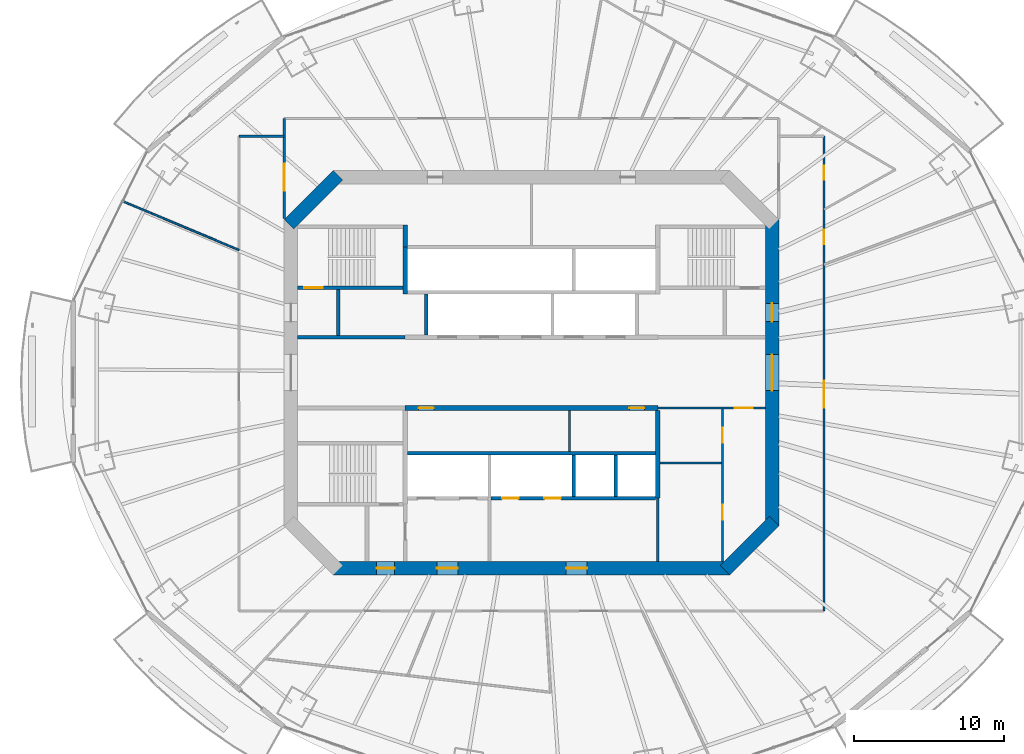
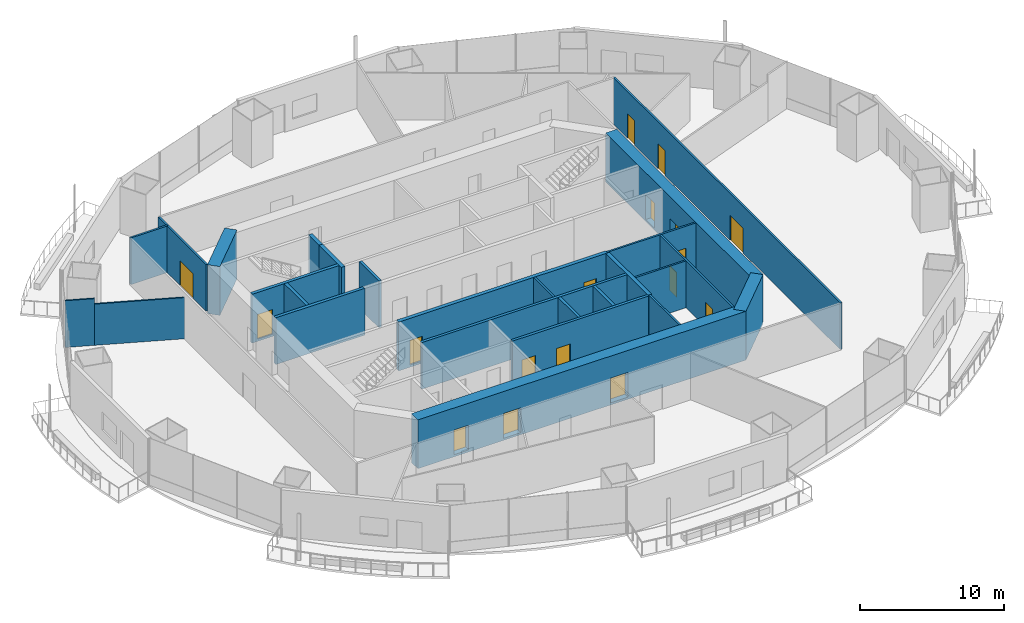
# One storey, part 13 of 21: 26 walls, 17 doors, 17 openings.
"""IFC4 building model written with IfcOpenShell, lengths in metres."""

from ifc_helpers import new_model, si_unit, direction, frame, frame_2d, origin, place, context, subcontext, project, spatial, rectangle, extrude, material, layer, layer_set, type_object, element, fill, save


model = new_model("IFC4")

# Units and contexts
model_context = context("Model", 3, precision=1e-05, world=origin(), true_north=direction((0.0, 1.0)))
body_context = subcontext(model_context, "Body", "Model", "MODEL_VIEW")
ifc_project = project(units=[si_unit("LENGTHUNIT", "METRE"), si_unit("AREAUNIT", "SQUARE_METRE"), si_unit("VOLUMEUNIT", "CUBIC_METRE"), si_unit("PLANEANGLEUNIT", "RADIAN"), si_unit("MASSUNIT", "GRAM", prefix="KILO")], contexts=[model_context])

# Site, building, storey
site_placement = place(None, origin())
site = spatial("IfcSite", under=ifc_project, at=site_placement, CompositionType="ELEMENT")
building_placement = place(site_placement, origin())
building = spatial("IfcBuilding", under=site, at=building_placement, Name="Marenthal Gate Tower", CompositionType="ELEMENT")
storey_placement = place(building_placement, frame((0.0, 0.0, 169.35009765625)))
storey = spatial("IfcBuildingStorey", under=building, at=storey_placement, Name="L36", CompositionType="ELEMENT", Elevation=169.35009765625)

# Wall
ifc_material_1 = material(Name="Concrete 60 MPa", Category="concrete")
ifc_layer_1 = layer(ifc_material_1, 0.89990234375)
ifc_layer_set_1 = layer_set([ifc_layer_1], Name="Core shear wall 900")
wall_type_1 = type_object("IfcWallType", Name="Core shear wall 900", PredefinedType="SHEAR", material=ifc_layer_set_1)
wall_1_placement = place(storey_placement, frame((12.8681640625, -13.1318359375, -0.18017578125), z_axis=(0.0, 0.0, 1.0), x_axis=(0.707106781187, 0.707106781187, 0.0)))
element("IfcWall", 1, at=wall_1_placement, inside=storey, type_object=wall_type_1, Name="Core wall 01", PredefinedType="SHEAR", context=body_context, shape_type="SweptSolid", body=[
    extrude(rectangle(XDim=4.615478515625, YDim=0.89990234375, at=frame_2d((2.3076171875, 0.0))), origin(), (0.0, 0.0, 1.0), 4.150146484375),
])

# Wall, openings, doors
wall_2_placement = place(storey_placement, frame((16.0, -10.186279296875, -0.18017578125), z_axis=(0.0, 0.0, 1.0), x_axis=(0.0, 1.0, 0.0)))
wall_2 = element("IfcWall", 2, at=wall_2_placement, inside=storey, type_object=wall_type_1, Name="Core wall 02", PredefinedType="SHEAR", context=body_context, shape_type="SweptSolid", body=[
    extrude(rectangle(XDim=20.37255859375, YDim=0.89990234375, at=frame_2d((10.186279296875, 0.0))), origin(), (0.0, 0.0, 1.0), 4.150146484375),
])
opening_1_placement = place(wall_2_placement, frame((8.986328125, 0.0, 0.179931640625)))
opening_1 = element("IfcOpeningElement", 3, at=opening_1_placement, cuts=wall_2, Name="Opening D003.02", PredefinedType="OPENING", context=body_context, shape_type="SweptSolid", body=[
    extrude(rectangle(XDim=2.39990234375, YDim=2.10009765625, at=frame_2d((1.199951171875, 1.050048828125))), frame((0.0, 0.4599609375, 0.0), z_axis=(0.0, -1.0, 0.0), x_axis=(1.0, 0.0, 0.0)), (0.0, 0.0, 1.0), 0.919921875),
])
opening_2_placement = place(wall_2_placement, frame((13.58642578125, 0.0, 0.179931640625)))
opening_2 = element("IfcOpeningElement", 4, at=opening_2_placement, cuts=wall_2, Name="Opening D001.05", PredefinedType="OPENING", context=body_context, shape_type="SweptSolid", body=[
    extrude(rectangle(XDim=1.199951171875, YDim=2.10009765625, at=frame_2d((0.60009765625, 1.050048828125))), frame((0.0, 0.4599609375, 0.0), z_axis=(0.0, -1.0, 0.0), x_axis=(1.0, 0.0, 0.0)), (0.0, 0.0, 1.0), 0.919921875),
])
ifc_material_2 = material(Name="Steel fire door", Category="steel")
door_type_1 = type_object("IfcDoorType", Name="Double fire door FD 45 2400 x 2100", OperationType="DOUBLE_DOOR_SINGLE_SWING", PredefinedType="DOOR", material=ifc_material_2)
door_1_placement = place(opening_1_placement, origin())
door_1 = element("IfcDoor", 5, at=door_1_placement, inside=storey, type_object=door_type_1, Name="Door D003.02", OperationType="DOUBLE_DOOR_SINGLE_SWING", OverallHeight=2.10009765625, OverallWidth=2.39990234375, PredefinedType="DOOR", context=body_context, shape_type="SweptSolid", body=[
    extrude(rectangle(XDim=2.39990234375, YDim=2.10009765625, at=frame_2d((1.199951171875, 1.050048828125))), frame((0.0, 0.02490234375, 0.0), z_axis=(0.0, -1.0, 0.0), x_axis=(1.0, 0.0, 0.0)), (0.0, 0.0, 1.0), 0.050048828125),
])
fill(opening_1, door_1)
ifc_material_3 = material(Name="Steel fire door", Category="steel")
door_type_2 = type_object("IfcDoorType", Name="Fire door FD 90 1200 x 2100", OperationType="NOTDEFINED", PredefinedType="DOOR", material=ifc_material_3)
door_2_placement = place(opening_2_placement, origin())
door_2 = element("IfcDoor", 6, at=door_2_placement, inside=storey, type_object=door_type_2, Name="Door D001.05", OperationType="SINGLE_SWING_RIGHT", OverallHeight=2.10009765625, OverallWidth=1.199951171875, PredefinedType="DOOR", context=body_context, shape_type="SweptSolid", body=[
    extrude(rectangle(XDim=1.199951171875, YDim=2.10009765625, at=frame_2d((0.60009765625, 1.050048828125))), frame((0.0, 0.02490234375, 0.0), z_axis=(0.0, -1.0, 0.0), x_axis=(1.0, 0.0, 0.0)), (0.0, 0.0, 1.0), 0.050048828125),
])
fill(opening_2, door_2)

# Wall
wall_3_placement = place(storey_placement, frame((-12.8681640625, 13.1318359375, -0.18017578125), z_axis=(0.0, 0.0, 1.0), x_axis=(-0.707106781187, -0.707106781187, 0.0)))
element("IfcWall", 7, at=wall_3_placement, inside=storey, type_object=wall_type_1, Name="Core wall 05", PredefinedType="SHEAR", context=body_context, shape_type="SweptSolid", body=[
    extrude(rectangle(XDim=4.615478515625, YDim=0.89990234375, at=frame_2d((2.3076171875, 0.0))), origin(), (0.0, 0.0, 1.0), 4.150146484375),
])

# Wall, openings, doors
wall_4_placement = place(storey_placement, frame((-13.186279296875, -13.0, -0.18017578125), z_axis=(0.0, 0.0, 1.0), x_axis=(1.0, 0.0, 0.0)))
wall_4 = element("IfcWall", 8, at=wall_4_placement, inside=storey, type_object=wall_type_1, Name="Core wall 08", PredefinedType="SHEAR", context=body_context, shape_type="SweptSolid", body=[
    extrude(rectangle(XDim=26.37255859375, YDim=0.89990234375, at=frame_2d((13.186279296875, 0.0))), origin(), (0.0, 0.0, 1.0), 4.150146484375),
])
opening_3_placement = place(wall_4_placement, frame((2.886474609375, 0.0, 0.179931640625)))
opening_3 = element("IfcOpeningElement", 9, at=opening_3_placement, cuts=wall_4, Name="Opening D001.06", PredefinedType="OPENING", context=body_context, shape_type="SweptSolid", body=[
    extrude(rectangle(XDim=1.199951171875, YDim=2.10009765625, at=frame_2d((0.60009765625, 1.050048828125))), frame((0.0, 0.4599609375, 0.0), z_axis=(0.0, -1.0, 0.0), x_axis=(1.0, 0.0, 0.0)), (0.0, 0.0, 1.0), 0.919921875),
])
opening_4_placement = place(wall_4_placement, frame((6.886474609375, 0.0, 0.179931640625)))
opening_4 = element("IfcOpeningElement", 10, at=opening_4_placement, cuts=wall_4, Name="Opening D004.01", PredefinedType="OPENING", context=body_context, shape_type="SweptSolid", body=[
    extrude(rectangle(XDim=1.39990234375, YDim=2.10009765625, at=frame_2d((0.699951171875, 1.050048828125))), frame((0.0, 0.4599609375, 0.0), z_axis=(0.0, -1.0, 0.0), x_axis=(1.0, 0.0, 0.0)), (0.0, 0.0, 1.0), 0.919921875),
])
opening_5_placement = place(wall_4_placement, frame((15.486328125, 0.0, 0.179931640625)))
opening_5 = element("IfcOpeningElement", 11, at=opening_5_placement, cuts=wall_4, Name="Opening D004.02", PredefinedType="OPENING", context=body_context, shape_type="SweptSolid", body=[
    extrude(rectangle(XDim=1.39990234375, YDim=2.10009765625, at=frame_2d((0.699951171875, 1.050048828125))), frame((0.0, 0.4599609375, 0.0), z_axis=(0.0, -1.0, 0.0), x_axis=(1.0, 0.0, 0.0)), (0.0, 0.0, 1.0), 0.919921875),
])
ifc_material_4 = material(Name="Steel fire door", Category="steel")
door_type_3 = type_object("IfcDoorType", Name="Fire door FD 45 1400 x 2100", OperationType="NOTDEFINED", PredefinedType="DOOR", material=ifc_material_4)
door_3_placement = place(opening_4_placement, origin())
door_3 = element("IfcDoor", 12, at=door_3_placement, inside=storey, type_object=door_type_3, Name="Door D004.01", OperationType="SINGLE_SWING_RIGHT", OverallHeight=2.10009765625, OverallWidth=1.39990234375, PredefinedType="DOOR", context=body_context, shape_type="SweptSolid", body=[
    extrude(rectangle(XDim=1.39990234375, YDim=2.10009765625, at=frame_2d((0.699951171875, 1.050048828125))), frame((0.0, 0.02490234375, 0.0), z_axis=(0.0, -1.0, 0.0), x_axis=(1.0, 0.0, 0.0)), (0.0, 0.0, 1.0), 0.050048828125),
])
fill(opening_4, door_3)
door_4_placement = place(opening_5_placement, origin())
door_4 = element("IfcDoor", 13, at=door_4_placement, inside=storey, type_object=door_type_3, Name="Door D004.02", OperationType="SINGLE_SWING_RIGHT", OverallHeight=2.10009765625, OverallWidth=1.39990234375, PredefinedType="DOOR", context=body_context, shape_type="SweptSolid", body=[
    extrude(rectangle(XDim=1.39990234375, YDim=2.10009765625, at=frame_2d((0.699951171875, 1.050048828125))), frame((0.0, 0.02490234375, 0.0), z_axis=(0.0, -1.0, 0.0), x_axis=(1.0, 0.0, 0.0)), (0.0, 0.0, 1.0), 0.050048828125),
])
fill(opening_5, door_4)
door_5_placement = place(opening_3_placement, origin())
door_5 = element("IfcDoor", 14, at=door_5_placement, inside=storey, type_object=door_type_2, Name="Door D001.06", OperationType="SINGLE_SWING_RIGHT", OverallHeight=2.10009765625, OverallWidth=1.199951171875, PredefinedType="DOOR", context=body_context, shape_type="SweptSolid", body=[
    extrude(rectangle(XDim=1.199951171875, YDim=2.10009765625, at=frame_2d((0.60009765625, 1.050048828125))), frame((0.0, 0.02490234375, 0.0), z_axis=(0.0, -1.0, 0.0), x_axis=(1.0, 0.0, 0.0)), (0.0, 0.0, 1.0), 0.050048828125),
])
fill(opening_3, door_5)

ifc_material_5 = material(Name="Concrete 50 MPa", Category="concrete")
ifc_layer_2 = layer(ifc_material_5, 0.300048828125)
ifc_layer_set_2 = layer_set([ifc_layer_2], Name="Hoistway shear wall 300")
wall_type_2 = type_object("IfcWallType", Name="Hoistway shear wall 300", PredefinedType="SHEAR", material=ifc_layer_set_2)
wall_5_placement = place(storey_placement, frame((-8.39990234375, -2.35009765625, -0.18017578125), z_axis=(0.0, 0.0, 1.0), x_axis=(1.0, 0.0, 0.0)))
wall_5 = element("IfcWall", 15, at=wall_5_placement, inside=storey, type_object=wall_type_2, Name="Hoistway wall 16", PredefinedType="SHEAR", context=body_context, shape_type="SweptSolid", body=[
    extrude(rectangle(XDim=16.7998046875, YDim=0.300048828125, at=frame_2d((8.39990234375, 0.0))), origin(), (0.0, 0.0, 1.0), 4.150146484375),
])
opening_6_placement = place(wall_5_placement, frame((0.89990234375, 0.0, 0.179931640625)))
opening_6 = element("IfcOpeningElement", 16, at=opening_6_placement, cuts=wall_5, Name="Opening D005.01", PredefinedType="OPENING", context=body_context, shape_type="SweptSolid", body=[
    extrude(rectangle(XDim=1.0, YDim=2.10009765625, at=frame_2d((0.5, 1.050048828125))), frame((0.0, 0.16015625, 0.0), z_axis=(0.0, -1.0, 0.0), x_axis=(1.0, 0.0, 0.0)), (0.0, 0.0, 1.0), 0.320068359375),
])
opening_7_placement = place(wall_5_placement, frame((14.89990234375, 0.0, 0.179931640625)))
opening_7 = element("IfcOpeningElement", 17, at=opening_7_placement, cuts=wall_5, Name="Opening D005.02", PredefinedType="OPENING", context=body_context, shape_type="SweptSolid", body=[
    extrude(rectangle(XDim=1.0, YDim=2.10009765625, at=frame_2d((0.5, 1.050048828125))), frame((0.0, 0.16015625, 0.0), z_axis=(0.0, -1.0, 0.0), x_axis=(1.0, 0.0, 0.0)), (0.0, 0.0, 1.0), 0.320068359375),
])
ifc_material_6 = material(Name="Steel fire door", Category="steel")
door_type_4 = type_object("IfcDoorType", Name="Fire door FD 45 1000 x 2100", OperationType="NOTDEFINED", PredefinedType="DOOR", material=ifc_material_6)
door_6_placement = place(opening_6_placement, frame((1.0, 0.0, 0.0), z_axis=(0.0, 0.0, 1.0), x_axis=(-1.0, 0.0, 0.0)))
door_6 = element("IfcDoor", 18, at=door_6_placement, inside=storey, type_object=door_type_4, Name="Door D005.01", OperationType="SINGLE_SWING_LEFT", OverallHeight=2.10009765625, OverallWidth=1.0, PredefinedType="DOOR", context=body_context, shape_type="SweptSolid", body=[
    extrude(rectangle(XDim=1.0, YDim=2.10009765625, at=frame_2d((0.5, 1.050048828125))), frame((0.0, 0.02490234375, 0.0), z_axis=(0.0, -1.0, 0.0), x_axis=(1.0, 0.0, 0.0)), (0.0, 0.0, 1.0), 0.050048828125),
])
fill(opening_6, door_6)
door_7_placement = place(opening_7_placement, frame((1.0, 0.0, 0.0), z_axis=(0.0, 0.0, 1.0), x_axis=(-1.0, 0.0, 0.0)))
door_7 = element("IfcDoor", 19, at=door_7_placement, inside=storey, type_object=door_type_4, Name="Door D005.02", OperationType="SINGLE_SWING_LEFT", OverallHeight=2.10009765625, OverallWidth=1.0, PredefinedType="DOOR", context=body_context, shape_type="SweptSolid", body=[
    extrude(rectangle(XDim=1.0, YDim=2.10009765625, at=frame_2d((0.5, 1.050048828125))), frame((0.0, 0.02490234375, 0.0), z_axis=(0.0, -1.0, 0.0), x_axis=(1.0, 0.0, 0.0)), (0.0, 0.0, 1.0), 0.050048828125),
])
fill(opening_7, door_7)

# Walls
wall_6_placement = place(storey_placement, frame((-8.39990234375, 5.239990234375, -0.18017578125), z_axis=(0.0, 0.0, 1.0), x_axis=(0.0, 1.0, 0.0)))
element("IfcWall", 20, at=wall_6_placement, inside=storey, type_object=wall_type_2, Name="Hoistway wall 31", PredefinedType="SHEAR", context=body_context, shape_type="SweptSolid", body=[
    extrude(rectangle(XDim=3.110107421875, YDim=0.300048828125, at=frame_2d((1.55517578125, 0.0))), origin(), (0.0, 0.0, 1.0), 4.150146484375),
])
wall_7_placement = place(storey_placement, frame((8.39990234375, -8.35009765625, -0.18017578125), z_axis=(0.0, 0.0, 1.0), x_axis=(0.0, 1.0, 0.0)))
element("IfcWall", 21, at=wall_7_placement, inside=storey, type_object=wall_type_2, Name="Hoistway wall 44", PredefinedType="SHEAR", context=body_context, shape_type="SweptSolid", body=[
    extrude(rectangle(XDim=5.85009765625, YDim=0.300048828125, at=frame_2d((2.925048828125, 0.0))), origin(), (0.0, 0.0, 1.0), 4.150146484375),
])

# Wall, openings, doors
ifc_material_7 = material(Name="Concrete 40 MPa", Category="concrete")
ifc_layer_3 = layer(ifc_material_7, 0.219970703125)
ifc_layer_set_3 = layer_set([ifc_layer_3], Name="Hoistway wall 220")
wall_type_3 = type_object("IfcWallType", Name="Hoistway wall 220", PredefinedType="STANDARD", material=ifc_layer_set_3)
wall_8_placement = place(storey_placement, frame((-2.68994140625, -8.35009765625, 0.0), z_axis=(0.0, 0.0, 1.0), x_axis=(1.0, 0.0, 0.0)))
wall_8 = element("IfcWall", 22, at=wall_8_placement, inside=storey, type_object=wall_type_3, Name="Hoistway wall 11", PredefinedType="STANDARD", context=body_context, shape_type="SweptSolid", body=[
    extrude(rectangle(XDim=10.93994140625, YDim=0.219970703125, at=frame_2d((5.469970703125, 0.0))), origin(), (0.0, 0.0, 1.0), 3.969970703125),
])
opening_8_placement = place(wall_8_placement, frame((0.739990234375, 0.0, 0.0)))
opening_8 = element("IfcOpeningElement", 23, at=opening_8_placement, cuts=wall_8, Name="Opening LD-SV1", PredefinedType="OPENING", context=body_context, shape_type="SweptSolid", body=[
    extrude(rectangle(XDim=1.10009765625, YDim=2.10009765625, at=frame_2d((0.550048828125, 1.050048828125))), frame((0.0, 0.1201171875, 0.0), z_axis=(0.0, -1.0, 0.0), x_axis=(1.0, 0.0, 0.0)), (0.0, 0.0, 1.0), 0.239990234375),
])
opening_9_placement = place(wall_8_placement, frame((3.5400390625, 0.0, 0.0)))
opening_9 = element("IfcOpeningElement", 24, at=opening_9_placement, cuts=wall_8, Name="Opening LD-SV2", PredefinedType="OPENING", context=body_context, shape_type="SweptSolid", body=[
    extrude(rectangle(XDim=1.10009765625, YDim=2.10009765625, at=frame_2d((0.550048828125, 1.050048828125))), frame((0.0, 0.1201171875, 0.0), z_axis=(0.0, -1.0, 0.0), x_axis=(1.0, 0.0, 0.0)), (0.0, 0.0, 1.0), 0.239990234375),
])
ifc_material_8 = material(Name="Stainless steel sliding door", Category="steel")
door_type_5 = type_object("IfcDoorType", Name="Lift landing door FD 90 1100 x 2100", OperationType="DOUBLE_DOOR_SLIDING", PredefinedType="DOOR", material=ifc_material_8)
door_8_placement = place(opening_8_placement, origin())
door_8 = element("IfcDoor", 25, at=door_8_placement, inside=storey, type_object=door_type_5, Name="Lift landing door SV1", OperationType="DOUBLE_DOOR_SLIDING", OverallHeight=2.10009765625, OverallWidth=1.10009765625, PredefinedType="DOOR", context=body_context, shape_type="SweptSolid", body=[
    extrude(rectangle(XDim=1.10009765625, YDim=2.10009765625, at=frame_2d((0.550048828125, 1.050048828125))), frame((0.0, 0.02490234375, 0.0), z_axis=(0.0, -1.0, 0.0), x_axis=(1.0, 0.0, 0.0)), (0.0, 0.0, 1.0), 0.050048828125),
])
fill(opening_8, door_8)
door_9_placement = place(opening_9_placement, origin())
door_9 = element("IfcDoor", 26, at=door_9_placement, inside=storey, type_object=door_type_5, Name="Lift landing door SV2", OperationType="DOUBLE_DOOR_SLIDING", OverallHeight=2.10009765625, OverallWidth=1.10009765625, PredefinedType="DOOR", context=body_context, shape_type="SweptSolid", body=[
    extrude(rectangle(XDim=1.10009765625, YDim=2.10009765625, at=frame_2d((0.550048828125, 1.050048828125))), frame((0.0, 0.02490234375, 0.0), z_axis=(0.0, -1.0, 0.0), x_axis=(1.0, 0.0, 0.0)), (0.0, 0.0, 1.0), 0.050048828125),
])
fill(opening_9, door_9)

# Walls
wall_9_placement = place(storey_placement, frame((-8.25, -5.35009765625, 0.0), z_axis=(0.0, 0.0, 1.0), x_axis=(1.0, 0.0, 0.0)))
element("IfcWall", 27, at=wall_9_placement, inside=storey, type_object=wall_type_3, Name="Hoistway wall 13", PredefinedType="STANDARD", context=body_context, shape_type="SweptSolid", body=[
    extrude(rectangle(XDim=16.5, YDim=0.219970703125, at=frame_2d((8.25, 0.0))), origin(), (0.0, 0.0, 1.0), 3.969970703125),
])
wall_10_placement = place(storey_placement, frame((-7.0, 2.5, 0.0), z_axis=(0.0, 0.0, 1.0), x_axis=(0.0, 1.0, 0.0)))
element("IfcWall", 28, at=wall_10_placement, inside=storey, type_object=wall_type_3, Name="Hoistway wall 33", PredefinedType="STANDARD", context=body_context, shape_type="SweptSolid", body=[
    extrude(rectangle(XDim=2.739990234375, YDim=0.219970703125, at=frame_2d((1.3701171875, 0.0))), origin(), (0.0, 0.0, 1.0), 3.969970703125),
])
for number, where, z_axis, x_axis, name in (
    (29, (2.800048828125, -8.239990234375, 0.0), (0.0, 0.0, 1.0), (0.0, 1.0, 0.0), "Hoistway wall 39"),
    (30, (5.60009765625, -8.239990234375, 0.0), (0.0, 0.0, 1.0), (0.0, 1.0, 0.0), "Hoistway wall 41"),
):
    element("IfcWall", number, at=place(storey_placement, frame(where, z_axis=z_axis, x_axis=x_axis)), inside=storey, type_object=wall_type_3, Name=name, PredefinedType="STANDARD", context=body_context, shape_type="SweptSolid", body=[
        extrude(rectangle(XDim=2.780029296875, YDim=0.219970703125, at=frame_2d((1.39013671875, 0.0))), origin(), (0.0, 0.0, 1.0), 3.969970703125),
    ])
ifc_material_9 = material(Name="Gypsum board on steel studs", Category="steel")
ifc_layer_4 = layer(ifc_material_9, 0.1201171875)
ifc_layer_set_4 = layer_set([ifc_layer_4], Name="Partition 120")
wall_type_4 = type_object("IfcWallType", Name="Partition 120", PredefinedType="PARTITIONING", material=ifc_layer_set_4)
wall_11_placement = place(storey_placement, frame((-19.449951171875, 8.156494140625, 0.0), z_axis=(0.0, 0.0, 1.0), x_axis=(-0.922194826067, 0.386725616911, 0.0)))
element("IfcWall", 31, at=wall_11_placement, inside=storey, type_object=wall_type_4, Name="Partition wall 50", PredefinedType="PARTITIONING", context=body_context, shape_type="SweptSolid", body=[
    extrude(rectangle(XDim=6.322509765625, YDim=0.1201171875, at=frame_2d((3.1611328125, 0.0))), origin(), (0.0, 0.0, 1.0), 3.5029296875),
])
wall_12_placement = place(storey_placement, frame((-25.280517578125, 10.6015625, 0.0), z_axis=(0.0, 0.0, 1.0), x_axis=(-0.922222772677, 0.386658968027, 0.0)))
element("IfcWall", 32, at=wall_12_placement, inside=storey, type_object=wall_type_4, Name="Partition wall 70", PredefinedType="PARTITIONING", context=body_context, shape_type="SweptSolid", body=[
    extrude(rectangle(XDim=2.077392578125, YDim=0.1201171875, at=frame_2d((1.03857421875, 0.0))), origin(), (0.0, 0.0, 1.0), 3.969970703125),
])
ifc_material_10 = material(Name="Gypsum board on steel studs", Category="steel")
ifc_layer_5 = layer(ifc_material_10, 0.14990234375)
ifc_layer_set_5 = layer_set([ifc_layer_5], Name="Partition 150")
wall_type_5 = type_object("IfcWallType", Name="Partition 150", PredefinedType="PARTITIONING", material=ifc_layer_set_5)
wall_13_placement = place(storey_placement, frame((8.550048828125, -6.0, 0.0), z_axis=(0.0, 0.0, 1.0), x_axis=(1.0, 0.0, 0.0)))
element("IfcWall", 33, at=wall_13_placement, inside=storey, type_object=wall_type_5, Name="Partition wall 12", PredefinedType="PARTITIONING", context=body_context, shape_type="SweptSolid", body=[
    extrude(rectangle(XDim=4.074951171875, YDim=0.14990234375, at=frame_2d((2.03759765625, 0.0))), origin(), (0.0, 0.0, 1.0), 3.969970703125),
])

# Wall, opening, door
wall_14_placement = place(storey_placement, frame((8.39990234375, -2.35009765625, 0.0), z_axis=(0.0, 0.0, 1.0), x_axis=(1.0, 0.0, 0.0)))
wall_14 = element("IfcWall", 34, at=wall_14_placement, inside=storey, type_object=wall_type_5, Name="Partition wall 17", PredefinedType="PARTITIONING", context=body_context, shape_type="SweptSolid", body=[
    extrude(rectangle(XDim=7.150146484375, YDim=0.14990234375, at=frame_2d((3.5751953125, 0.0))), origin(), (0.0, 0.0, 1.0), 3.969970703125),
])
opening_10_placement = place(wall_14_placement, frame((5.125, 0.0, 0.0)))
opening_10 = element("IfcOpeningElement", 35, at=opening_10_placement, cuts=wall_14, Name="Opening D006.01", PredefinedType="OPENING", context=body_context, shape_type="SweptSolid", body=[
    extrude(rectangle(XDim=1.199951171875, YDim=2.10009765625, at=frame_2d((0.60009765625, 1.050048828125))), frame((0.0, 0.0849609375, 0.0), z_axis=(0.0, -1.0, 0.0), x_axis=(1.0, 0.0, 0.0)), (0.0, 0.0, 1.0), 0.169921875),
])
ifc_material_11 = material(Name="Steel fire door", Category="steel")
door_type_6 = type_object("IfcDoorType", Name="Fire door FD 45 1200 x 2100", OperationType="NOTDEFINED", PredefinedType="DOOR", material=ifc_material_11)
door_10_placement = place(opening_10_placement, frame((1.199951171875, 0.0, 0.0), z_axis=(0.0, 0.0, 1.0), x_axis=(-1.0, 0.0, 0.0)))
door_10 = element("IfcDoor", 36, at=door_10_placement, inside=storey, type_object=door_type_6, Name="Door D006.01", OperationType="SINGLE_SWING_LEFT", OverallHeight=2.10009765625, OverallWidth=1.199951171875, PredefinedType="DOOR", context=body_context, shape_type="SweptSolid", body=[
    extrude(rectangle(XDim=1.199951171875, YDim=2.10009765625, at=frame_2d((0.60009765625, 1.050048828125))), frame((0.0, 0.02490234375, 0.0), z_axis=(0.0, -1.0, 0.0), x_axis=(1.0, 0.0, 0.0)), (0.0, 0.0, 1.0), 0.050048828125),
])
fill(opening_10, door_10)

# Walls
wall_15_placement = place(storey_placement, frame((2.52001953125, -5.239990234375, 0.0), z_axis=(0.0, 0.0, 1.0), x_axis=(0.0, 1.0, 0.0)))
element("IfcWall", 37, at=wall_15_placement, inside=storey, type_object=wall_type_5, Name="Partition wall 38", PredefinedType="PARTITIONING", context=body_context, shape_type="SweptSolid", body=[
    extrude(rectangle(XDim=2.739990234375, YDim=0.14990234375, at=frame_2d((1.3701171875, 0.0))), origin(), (0.0, 0.0, 1.0), 3.969970703125),
])
wall_16_placement = place(storey_placement, frame((8.39990234375, -12.550048828125, 0.0), z_axis=(0.0, 0.0, 1.0), x_axis=(0.0, 1.0, 0.0)))
element("IfcWall", 38, at=wall_16_placement, inside=storey, type_object=wall_type_5, Name="Partition wall 43", PredefinedType="PARTITIONING", context=body_context, shape_type="SweptSolid", body=[
    extrude(rectangle(XDim=4.199951171875, YDim=0.14990234375, at=frame_2d((2.10009765625, 0.0))), origin(), (0.0, 0.0, 1.0), 3.969970703125),
])

# Wall, openings, doors
wall_17_placement = place(storey_placement, frame((12.699951171875, -12.550048828125, 0.0), z_axis=(0.0, 0.0, 1.0), x_axis=(0.0, 1.0, 0.0)))
wall_17 = element("IfcWall", 39, at=wall_17_placement, inside=storey, type_object=wall_type_5, Name="Partition wall 47", PredefinedType="PARTITIONING", context=body_context, shape_type="SweptSolid", body=[
    extrude(rectangle(XDim=10.125, YDim=0.14990234375, at=frame_2d((5.0625, 0.0))), origin(), (0.0, 0.0, 1.0), 3.969970703125),
])
opening_11_placement = place(wall_17_placement, frame((7.875, 0.0, 0.0)))
opening_11 = element("IfcOpeningElement", 40, at=opening_11_placement, cuts=wall_17, Name="Opening D005.05", PredefinedType="OPENING", context=body_context, shape_type="SweptSolid", body=[
    extrude(rectangle(XDim=1.0, YDim=2.10009765625, at=frame_2d((0.5, 1.050048828125))), frame((0.0, 0.0849609375, 0.0), z_axis=(0.0, -1.0, 0.0), x_axis=(1.0, 0.0, 0.0)), (0.0, 0.0, 1.0), 0.169921875),
])
opening_12_placement = place(wall_17_placement, frame((2.77490234375, 0.0, 0.0)))
opening_12 = element("IfcOpeningElement", 41, at=opening_12_placement, cuts=wall_17, Name="Opening D005.06", PredefinedType="OPENING", context=body_context, shape_type="SweptSolid", body=[
    extrude(rectangle(XDim=1.0, YDim=2.10009765625, at=frame_2d((0.5, 1.050048828125))), frame((0.0, 0.0849609375, 0.0), z_axis=(0.0, -1.0, 0.0), x_axis=(1.0, 0.0, 0.0)), (0.0, 0.0, 1.0), 0.169921875),
])
door_11_placement = place(opening_11_placement, origin())
door_11 = element("IfcDoor", 42, at=door_11_placement, inside=storey, type_object=door_type_4, Name="Door D005.05", OperationType="SINGLE_SWING_RIGHT", OverallHeight=2.10009765625, OverallWidth=1.0, PredefinedType="DOOR", context=body_context, shape_type="SweptSolid", body=[
    extrude(rectangle(XDim=1.0, YDim=2.10009765625, at=frame_2d((0.5, 1.050048828125))), frame((0.0, 0.02490234375, 0.0), z_axis=(0.0, -1.0, 0.0), x_axis=(1.0, 0.0, 0.0)), (0.0, 0.0, 1.0), 0.050048828125),
])
fill(opening_11, door_11)
door_12_placement = place(opening_12_placement, origin())
door_12 = element("IfcDoor", 43, at=door_12_placement, inside=storey, type_object=door_type_4, Name="Door D005.06", OperationType="SINGLE_SWING_RIGHT", OverallHeight=2.10009765625, OverallWidth=1.0, PredefinedType="DOOR", context=body_context, shape_type="SweptSolid", body=[
    extrude(rectangle(XDim=1.0, YDim=2.10009765625, at=frame_2d((0.5, 1.050048828125))), frame((0.0, 0.02490234375, 0.0), z_axis=(0.0, -1.0, 0.0), x_axis=(1.0, 0.0, 0.0)), (0.0, 0.0, 1.0), 0.050048828125),
])
fill(opening_12, door_12)

# Wall
wall_18_placement = place(storey_placement, frame((-19.449951171875, 15.731689453125, 0.0), z_axis=(0.0, 0.0, 1.0), x_axis=(1.0, 0.0, 0.0)))
element("IfcWall", 44, at=wall_18_placement, inside=storey, type_object=wall_type_5, Name="Partition wall 51", PredefinedType="PARTITIONING", context=body_context, shape_type="SweptSolid", body=[
    extrude(rectangle(XDim=3.0, YDim=0.14990234375, at=frame_2d((1.5, 0.0))), origin(), (0.0, 0.0, 1.0), 3.969970703125),
])

# Wall, opening, door
wall_19_placement = place(storey_placement, frame((-16.449951171875, 10.25, 0.0), z_axis=(0.0, 0.0, 1.0), x_axis=(0.0, 1.0, 0.0)))
wall_19 = element("IfcWall", 45, at=wall_19_placement, inside=storey, type_object=wall_type_5, Name="Partition wall 53", PredefinedType="PARTITIONING", context=body_context, shape_type="SweptSolid", body=[
    extrude(rectangle(XDim=6.65380859375, YDim=0.14990234375, at=frame_2d((3.326904296875, 0.0))), origin(), (0.0, 0.0, 1.0), 3.969970703125),
])
opening_13_placement = place(wall_19_placement, frame((1.841064453125, 0.0, 0.0)))
opening_13 = element("IfcOpeningElement", 46, at=opening_13_placement, cuts=wall_19, Name="Opening D014.05", PredefinedType="OPENING", context=body_context, shape_type="SweptSolid", body=[
    extrude(rectangle(XDim=1.800048828125, YDim=2.10009765625, at=frame_2d((0.89990234375, 1.050048828125))), frame((0.0, 0.0849609375, 0.0), z_axis=(0.0, -1.0, 0.0), x_axis=(1.0, 0.0, 0.0)), (0.0, 0.0, 1.0), 0.169921875),
])
ifc_material_12 = material(Name="Timber door", Category="wood")
door_type_7 = type_object("IfcDoorType", Name="Double door 1800 x 2100", OperationType="DOUBLE_DOOR_SINGLE_SWING", PredefinedType="DOOR", material=ifc_material_12)
door_13_placement = place(opening_13_placement, origin())
door_13 = element("IfcDoor", 47, at=door_13_placement, inside=storey, type_object=door_type_7, Name="Door D014.05", OperationType="DOUBLE_DOOR_SINGLE_SWING", OverallHeight=2.10009765625, OverallWidth=1.800048828125, PredefinedType="DOOR", context=body_context, shape_type="SweptSolid", body=[
    extrude(rectangle(XDim=1.800048828125, YDim=2.10009765625, at=frame_2d((0.89990234375, 1.050048828125))), frame((0.0, 0.02490234375, 0.0), z_axis=(0.0, -1.0, 0.0), x_axis=(1.0, 0.0, 0.0)), (0.0, 0.0, 1.0), 0.050048828125),
])
fill(opening_13, door_13)

# Wall, openings, doors
wall_20_placement = place(storey_placement, frame((19.449951171875, 15.731689453125, 0.0), z_axis=(0.0, 0.0, 1.0), x_axis=(0.0, -1.0, 0.0)))
wall_20 = element("IfcWall", 48, at=wall_20_placement, inside=storey, type_object=wall_type_5, Name="Partition wall 67", PredefinedType="PARTITIONING", context=body_context, shape_type="SweptSolid", body=[
    extrude(rectangle(XDim=31.581787109375, YDim=0.14990234375, at=frame_2d((15.791015625, 0.0))), origin(), (0.0, 0.0, 1.0), 3.969970703125),
])
opening_14_placement = place(wall_20_placement, frame((1.966064453125, 0.0, 0.0)))
opening_14 = element("IfcOpeningElement", 49, at=opening_14_placement, cuts=wall_20, Name="Opening D016.01", PredefinedType="OPENING", context=body_context, shape_type="SweptSolid", body=[
    extrude(rectangle(XDim=0.949951171875, YDim=2.10009765625, at=frame_2d((0.47509765625, 1.050048828125))), frame((0.0, 0.0849609375, 0.0), z_axis=(0.0, -1.0, 0.0), x_axis=(1.0, 0.0, 0.0)), (0.0, 0.0, 1.0), 0.169921875),
])
opening_15_placement = place(wall_20_placement, frame((6.22998046875, 0.0, 0.0)))
opening_15 = element("IfcOpeningElement", 50, at=opening_15_placement, cuts=wall_20, Name="Opening D016.05", PredefinedType="OPENING", context=body_context, shape_type="SweptSolid", body=[
    extrude(rectangle(XDim=0.949951171875, YDim=2.10009765625, at=frame_2d((0.47509765625, 1.050048828125))), frame((0.0, 0.0849609375, 0.0), z_axis=(0.0, -1.0, 0.0), x_axis=(1.0, 0.0, 0.0)), (0.0, 0.0, 1.0), 0.169921875),
])
opening_16_placement = place(wall_20_placement, frame((16.2548828125, 0.0, 0.0)))
opening_16 = element("IfcOpeningElement", 51, at=opening_16_placement, cuts=wall_20, Name="Opening D014.04", PredefinedType="OPENING", context=body_context, shape_type="SweptSolid", body=[
    extrude(rectangle(XDim=1.800048828125, YDim=2.10009765625, at=frame_2d((0.89990234375, 1.050048828125))), frame((0.0, 0.0849609375, 0.0), z_axis=(0.0, -1.0, 0.0), x_axis=(1.0, 0.0, 0.0)), (0.0, 0.0, 1.0), 0.169921875),
])
ifc_material_13 = material(Name="Timber door", Category="wood")
door_type_8 = type_object("IfcDoorType", Name="Door 950 x 2100", OperationType="NOTDEFINED", PredefinedType="DOOR", material=ifc_material_13)
door_14_placement = place(opening_14_placement, origin())
door_14 = element("IfcDoor", 52, at=door_14_placement, inside=storey, type_object=door_type_8, Name="Door D016.01", OperationType="SINGLE_SWING_RIGHT", OverallHeight=2.10009765625, OverallWidth=0.949951171875, PredefinedType="DOOR", context=body_context, shape_type="SweptSolid", body=[
    extrude(rectangle(XDim=0.949951171875, YDim=2.10009765625, at=frame_2d((0.47509765625, 1.050048828125))), frame((0.0, 0.02490234375, 0.0), z_axis=(0.0, -1.0, 0.0), x_axis=(1.0, 0.0, 0.0)), (0.0, 0.0, 1.0), 0.050048828125),
])
fill(opening_14, door_14)
door_15_placement = place(opening_15_placement, origin())
door_15 = element("IfcDoor", 53, at=door_15_placement, inside=storey, type_object=door_type_8, Name="Door D016.05", OperationType="SINGLE_SWING_RIGHT", OverallHeight=2.10009765625, OverallWidth=0.949951171875, PredefinedType="DOOR", context=body_context, shape_type="SweptSolid", body=[
    extrude(rectangle(XDim=0.949951171875, YDim=2.10009765625, at=frame_2d((0.47509765625, 1.050048828125))), frame((0.0, 0.02490234375, 0.0), z_axis=(0.0, -1.0, 0.0), x_axis=(1.0, 0.0, 0.0)), (0.0, 0.0, 1.0), 0.050048828125),
])
fill(opening_15, door_15)
door_16_placement = place(opening_16_placement, origin())
door_16 = element("IfcDoor", 54, at=door_16_placement, inside=storey, type_object=door_type_7, Name="Door D014.04", OperationType="DOUBLE_DOOR_SINGLE_SWING", OverallHeight=2.10009765625, OverallWidth=1.800048828125, PredefinedType="DOOR", context=body_context, shape_type="SweptSolid", body=[
    extrude(rectangle(XDim=1.800048828125, YDim=2.10009765625, at=frame_2d((0.89990234375, 1.050048828125))), frame((0.0, 0.02490234375, 0.0), z_axis=(0.0, -1.0, 0.0), x_axis=(1.0, 0.0, 0.0)), (0.0, 0.0, 1.0), 0.050048828125),
])
fill(opening_16, door_16)

# Walls
ifc_material_14 = material(Name="Concrete 40 MPa", Category="concrete")
ifc_layer_6 = layer(ifc_material_14, 0.25)
ifc_layer_set_6 = layer_set([ifc_layer_6], Name="Stair enclosure wall 250")
wall_type_6 = type_object("IfcWallType", Name="Stair enclosure wall 250", PredefinedType="STANDARD", material=ifc_layer_set_6)
wall_21_placement = place(storey_placement, frame((-15.550048828125, 2.35009765625, 0.0), z_axis=(0.0, 0.0, 1.0), x_axis=(1.0, 0.0, 0.0)))
element("IfcWall", 55, at=wall_21_placement, inside=storey, type_object=wall_type_6, Name="Stair wall 18", PredefinedType="STANDARD", context=body_context, shape_type="SweptSolid", body=[
    extrude(rectangle(XDim=7.150146484375, YDim=0.25, at=frame_2d((3.5751953125, 0.0))), origin(), (0.0, 0.0, 1.0), 3.969970703125),
])
wall_22_placement = place(storey_placement, frame((-12.85009765625, 2.47509765625, 0.0), z_axis=(0.0, 0.0, 1.0), x_axis=(0.0, 1.0, 0.0)))
element("IfcWall", 56, at=wall_22_placement, inside=storey, type_object=wall_type_6, Name="Stair wall 27", PredefinedType="STANDARD", context=body_context, shape_type="SweptSolid", body=[
    extrude(rectangle(XDim=3.0498046875, YDim=0.25, at=frame_2d((1.52490234375, 0.0))), origin(), (0.0, 0.0, 1.0), 3.969970703125),
])

# Wall, opening, door
ifc_material_15 = material(Name="Concrete 50 MPa", Category="concrete")
ifc_layer_7 = layer(ifc_material_15, 0.25)
ifc_layer_set_7 = layer_set([ifc_layer_7], Name="Stair shear wall 250")
wall_type_7 = type_object("IfcWallType", Name="Stair shear wall 250", PredefinedType="SHEAR", material=ifc_layer_set_7)
wall_23_placement = place(storey_placement, frame((-15.550048828125, 5.64990234375, -0.18017578125), z_axis=(0.0, 0.0, 1.0), x_axis=(1.0, 0.0, 0.0)))
wall_23 = element("IfcWall", 57, at=wall_23_placement, inside=storey, type_object=wall_type_7, Name="Stair wall 22", PredefinedType="SHEAR", context=body_context, shape_type="SweptSolid", body=[
    extrude(rectangle(XDim=7.0, YDim=0.25, at=frame_2d((3.5, 0.0))), origin(), (0.0, 0.0, 1.0), 4.150146484375),
])
opening_17_placement = place(wall_23_placement, frame((0.449951171875, 0.0, 0.179931640625)))
opening_17 = element("IfcOpeningElement", 58, at=opening_17_placement, cuts=wall_23, Name="Opening D001.01", PredefinedType="OPENING", context=body_context, shape_type="SweptSolid", body=[
    extrude(rectangle(XDim=1.199951171875, YDim=2.10009765625, at=frame_2d((0.60009765625, 1.050048828125))), frame((0.0, 0.135009765625, 0.0), z_axis=(0.0, -1.0, 0.0), x_axis=(1.0, 0.0, 0.0)), (0.0, 0.0, 1.0), 0.27001953125),
])
door_17_placement = place(opening_17_placement, origin())
door_17 = element("IfcDoor", 59, at=door_17_placement, inside=storey, type_object=door_type_2, Name="Door D001.01", OperationType="SINGLE_SWING_RIGHT", OverallHeight=2.10009765625, OverallWidth=1.199951171875, PredefinedType="DOOR", context=body_context, shape_type="SweptSolid", body=[
    extrude(rectangle(XDim=1.199951171875, YDim=2.10009765625, at=frame_2d((0.60009765625, 1.050048828125))), frame((0.0, 0.02490234375, 0.0), z_axis=(0.0, -1.0, 0.0), x_axis=(1.0, 0.0, 0.0)), (0.0, 0.0, 1.0), 0.050048828125),
])
fill(opening_17, door_17)

# Wall
ifc_material_16 = material(Name="Concrete 50 MPa", Category="concrete")
ifc_layer_8 = layer(ifc_material_16, 0.300048828125)
ifc_layer_set_8 = layer_set([ifc_layer_8], Name="Stair shear wall 300")
wall_type_8 = type_object("IfcWallType", Name="Stair shear wall 300", PredefinedType="SHEAR", material=ifc_layer_set_8)
wall_24_placement = place(storey_placement, frame((-8.39990234375, 8.35009765625, -0.18017578125), z_axis=(0.0, 0.0, 1.0), x_axis=(0.0, 1.0, 0.0)))
element("IfcWall", 60, at=wall_24_placement, inside=storey, type_object=wall_type_8, Name="Stair wall 32", PredefinedType="SHEAR", context=body_context, shape_type="SweptSolid", body=[
    extrude(rectangle(XDim=1.474853515625, YDim=0.300048828125, at=frame_2d((0.7373046875, 0.0))), origin(), (0.0, 0.0, 1.0), 4.150146484375),
])

save(model, "model.ifc")
